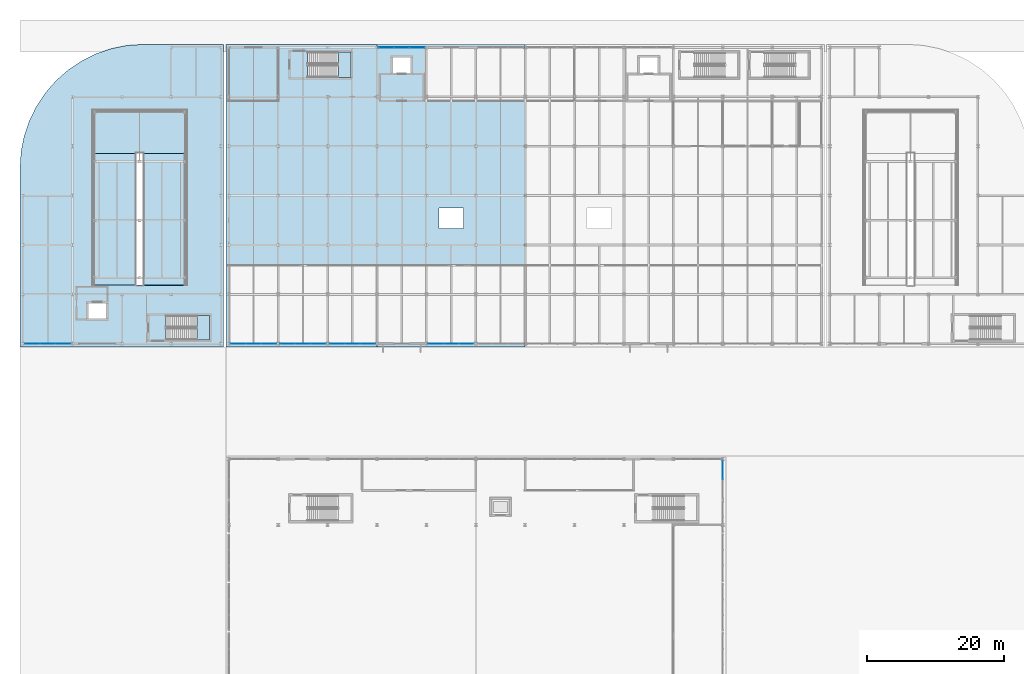
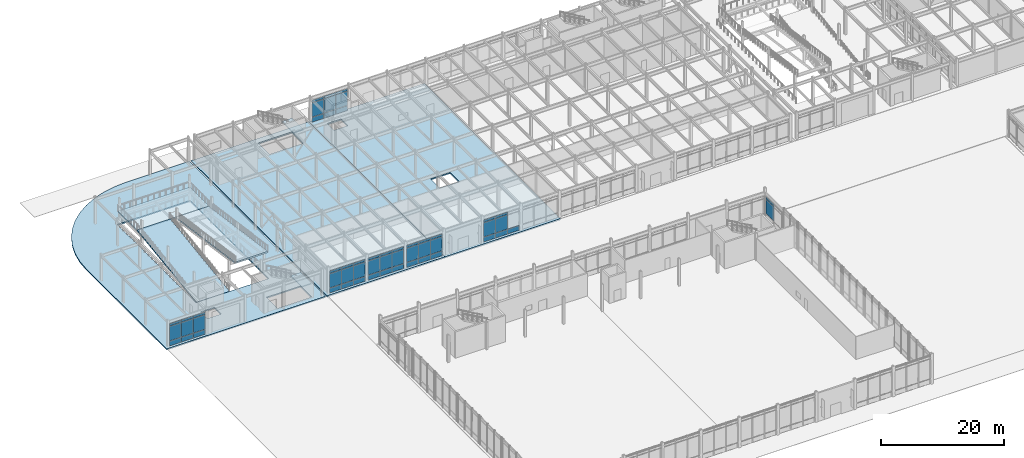
# One storey, part 61 of 104: 54 plates, 8 slabs, 9 elements without a shape of their own.
"""IFC4 building model written with IfcOpenShell, lengths in metres."""

from ifc_helpers import new_model, si_unit, direction, frame, origin, origin_2d, place, context, subcontext, project, spatial, polyline, rectangle, outline, extrude, material, layer, layer_set, type_object, element, aggregate, save


model = new_model("IFC4")

# Units and contexts
model_context = context("Model", 3, precision=1e-05, world=origin(), true_north=direction((0.0, 1.0)))
body_context = subcontext(model_context, "Body", "Model", "MODEL_VIEW")
ifc_project = project(units=[si_unit("LENGTHUNIT", "METRE"), si_unit("AREAUNIT", "SQUARE_METRE"), si_unit("VOLUMEUNIT", "CUBIC_METRE"), si_unit("PLANEANGLEUNIT", "RADIAN"), si_unit("MASSUNIT", "GRAM", prefix="KILO")], contexts=[model_context])

# Site, building, storey
site_placement = place(None, origin())
site = spatial("IfcSite", under=ifc_project, at=site_placement, CompositionType="ELEMENT")
building_placement = place(site_placement, origin())
building = spatial("IfcBuilding", under=site, at=building_placement, Name="Vaelcorin Mobility Hub", CompositionType="ELEMENT")
storey_placement = place(building_placement, origin())
storey = spatial("IfcBuildingStorey", under=building, at=storey_placement, Name="L00", CompositionType="ELEMENT", Elevation=0.0)

# Curtain wall, plates
ifc_material_1 = material(Name="Anodised aluminium 6063-T6", Category="aluminium")
curtain_wall_type_1 = type_object("IfcCurtainWallType", Name="CW-CONC-B", PredefinedType="NOTDEFINED", material=ifc_material_1)
curtain_wall_1_placement = place(storey_placement, origin())
curtain_wall_1 = element("IfcCurtainWall", 1, at=curtain_wall_1_placement, inside=storey, type_object=curtain_wall_type_1, Name="L00 Curtain Wall CW-V1-E-08", PredefinedType="NOTDEFINED")
ifc_material_2 = material(Name="Low-E solar-control insulated glazing", Category="glass")
ifc_layer_1 = layer(ifc_material_2, 0.031982421875)
ifc_layer_set_1 = layer_set([ifc_layer_1], Name="Low-E solar-control insulated glazing")
plate_type = type_object("IfcPlateType", Name="CW-PAN-GLZ32", PredefinedType="CURTAIN_PANEL", material=ifc_layer_set_1)
plate_1_placement = place(storey_placement, frame((108.0, 58.375, 1.080078125), z_axis=(0.0, 0.0, 1.0), x_axis=(0.0, -1.0, 0.0)))
plate_1 = element("IfcPlate", 2, at=plate_1_placement, type_object=plate_type, Name="CW2 panel 1.2", PredefinedType="CURTAIN_PANEL", context=body_context, shape_type="SweptSolid", body=[
    extrude(rectangle(XDim=2.68994140625, YDim=0.028076171875, at=origin_2d()), origin(), (0.0, 0.0, 1.0), 2.822021484375),
])
plate_2_placement = place(storey_placement, frame((108.0, 58.375, 3.9619140625), z_axis=(0.0, 0.0, 1.0), x_axis=(0.0, -1.0, 0.0)))
plate_2 = element("IfcPlate", 3, at=plate_2_placement, type_object=plate_type, Name="CW2 panel 1.3", PredefinedType="CURTAIN_PANEL", context=body_context, shape_type="SweptSolid", body=[
    extrude(rectangle(XDim=2.68994140625, YDim=0.028076171875, at=origin_2d()), origin(), (0.0, 0.0, 1.0), 0.4599609375),
])
aggregate(curtain_wall_1, [plate_1, plate_2])

curtain_wall_type_2 = type_object("IfcCurtainWallType", Name="CW-MSC-A", PredefinedType="NOTDEFINED", material=ifc_material_1)
curtain_wall_2_placement = place(storey_placement, origin())
curtain_wall_2 = element("IfcCurtainWall", 4, at=curtain_wall_2_placement, inside=storey, type_object=curtain_wall_type_2, Name="L00 Curtain Wall CW-V4-L00-S-01", PredefinedType="NOTDEFINED")
plate_3_placement = place(storey_placement, frame((41.83837890625, 76.800048828125, 0.06005859375), z_axis=(0.0, 0.0, 1.0), x_axis=(-1.0, 0.0, 0.0)))
plate_3 = element("IfcPlate", 5, at=plate_3_placement, type_object=plate_type, Name="CW3 panel 1.1", PredefinedType="CURTAIN_PANEL", context=body_context, shape_type="SweptSolid", body=[
    extrude(rectangle(XDim=2.163330078125, YDim=0.028076171875, at=origin_2d()), origin(), (0.0, 0.0, 1.0), 0.9599609375),
])
plate_4_placement = place(storey_placement, frame((41.83837890625, 76.800048828125, 1.080078125), z_axis=(0.0, 0.0, 1.0), x_axis=(-1.0, 0.0, 0.0)))
plate_4 = element("IfcPlate", 6, at=plate_4_placement, type_object=plate_type, Name="CW3 panel 1.2", PredefinedType="CURTAIN_PANEL", context=body_context, shape_type="SweptSolid", body=[
    extrude(rectangle(XDim=2.163330078125, YDim=0.028076171875, at=origin_2d()), origin(), (0.0, 0.0, 1.0), 2.802001953125),
])
plate_5_placement = place(storey_placement, frame((41.83837890625, 76.800048828125, 3.942138671875), z_axis=(0.0, 0.0, 1.0), x_axis=(-1.0, 0.0, 0.0)))
plate_5 = element("IfcPlate", 7, at=plate_5_placement, type_object=plate_type, Name="CW3 panel 1.3", PredefinedType="CURTAIN_PANEL", context=body_context, shape_type="SweptSolid", body=[
    extrude(rectangle(XDim=2.163330078125, YDim=0.028076171875, at=origin_2d()), origin(), (0.0, 0.0, 1.0), 0.4599609375),
])
plate_6_placement = place(storey_placement, frame((39.60009765625, 76.800048828125, 0.06005859375), z_axis=(0.0, 0.0, 1.0), x_axis=(-1.0, 0.0, 0.0)))
plate_6 = element("IfcPlate", 8, at=plate_6_placement, type_object=plate_type, Name="CW3 panel 2.1", PredefinedType="CURTAIN_PANEL", context=body_context, shape_type="SweptSolid", body=[
    extrude(rectangle(XDim=2.193359375, YDim=0.028076171875, at=origin_2d()), origin(), (0.0, 0.0, 1.0), 0.9599609375),
])
plate_7_placement = place(storey_placement, frame((39.60009765625, 76.800048828125, 1.080078125), z_axis=(0.0, 0.0, 1.0), x_axis=(-1.0, 0.0, 0.0)))
plate_7 = element("IfcPlate", 9, at=plate_7_placement, type_object=plate_type, Name="CW3 panel 2.2", PredefinedType="CURTAIN_PANEL", context=body_context, shape_type="SweptSolid", body=[
    extrude(rectangle(XDim=2.193359375, YDim=0.028076171875, at=origin_2d()), origin(), (0.0, 0.0, 1.0), 2.802001953125),
])
plate_8_placement = place(storey_placement, frame((39.60009765625, 76.800048828125, 3.942138671875), z_axis=(0.0, 0.0, 1.0), x_axis=(-1.0, 0.0, 0.0)))
plate_8 = element("IfcPlate", 10, at=plate_8_placement, type_object=plate_type, Name="CW3 panel 2.3", PredefinedType="CURTAIN_PANEL", context=body_context, shape_type="SweptSolid", body=[
    extrude(rectangle(XDim=2.193359375, YDim=0.028076171875, at=origin_2d()), origin(), (0.0, 0.0, 1.0), 0.4599609375),
])
plate_9_placement = place(storey_placement, frame((37.361572265625, 76.800048828125, 0.06005859375), z_axis=(0.0, 0.0, 1.0), x_axis=(-1.0, 0.0, 0.0)))
plate_9 = element("IfcPlate", 11, at=plate_9_placement, type_object=plate_type, Name="CW3 panel 3.1", PredefinedType="CURTAIN_PANEL", context=body_context, shape_type="SweptSolid", body=[
    extrude(rectangle(XDim=2.163330078125, YDim=0.028076171875, at=origin_2d()), origin(), (0.0, 0.0, 1.0), 0.9599609375),
])
plate_10_placement = place(storey_placement, frame((37.361572265625, 76.800048828125, 1.080078125), z_axis=(0.0, 0.0, 1.0), x_axis=(-1.0, 0.0, 0.0)))
plate_10 = element("IfcPlate", 12, at=plate_10_placement, type_object=plate_type, Name="CW3 panel 3.2", PredefinedType="CURTAIN_PANEL", context=body_context, shape_type="SweptSolid", body=[
    extrude(rectangle(XDim=2.163330078125, YDim=0.028076171875, at=origin_2d()), origin(), (0.0, 0.0, 1.0), 2.802001953125),
])
plate_11_placement = place(storey_placement, frame((37.361572265625, 76.800048828125, 3.942138671875), z_axis=(0.0, 0.0, 1.0), x_axis=(-1.0, 0.0, 0.0)))
plate_11 = element("IfcPlate", 13, at=plate_11_placement, type_object=plate_type, Name="CW3 panel 3.3", PredefinedType="CURTAIN_PANEL", context=body_context, shape_type="SweptSolid", body=[
    extrude(rectangle(XDim=2.163330078125, YDim=0.028076171875, at=origin_2d()), origin(), (0.0, 0.0, 1.0), 0.4599609375),
])
aggregate(curtain_wall_2, [plate_3, plate_4, plate_5, plate_6, plate_7, plate_8, plate_9, plate_10, plate_11])

curtain_wall_3_placement = place(storey_placement, origin())
curtain_wall_3 = element("IfcCurtainWall", 14, at=curtain_wall_3_placement, inside=storey, type_object=curtain_wall_type_2, Name="L00 Curtain Wall CW-V4-L00-S-02", PredefinedType="NOTDEFINED")
plate_12_placement = place(storey_placement, frame((49.038330078125, 76.800048828125, 0.06005859375), z_axis=(0.0, 0.0, 1.0), x_axis=(-1.0, 0.0, 0.0)))
plate_12 = element("IfcPlate", 15, at=plate_12_placement, type_object=plate_type, Name="CW3 panel 1.1", PredefinedType="CURTAIN_PANEL", context=body_context, shape_type="SweptSolid", body=[
    extrude(rectangle(XDim=2.163330078125, YDim=0.028076171875, at=origin_2d()), origin(), (0.0, 0.0, 1.0), 0.9599609375),
])
plate_13_placement = place(storey_placement, frame((49.038330078125, 76.800048828125, 1.080078125), z_axis=(0.0, 0.0, 1.0), x_axis=(-1.0, 0.0, 0.0)))
plate_13 = element("IfcPlate", 16, at=plate_13_placement, type_object=plate_type, Name="CW3 panel 1.2", PredefinedType="CURTAIN_PANEL", context=body_context, shape_type="SweptSolid", body=[
    extrude(rectangle(XDim=2.163330078125, YDim=0.028076171875, at=origin_2d()), origin(), (0.0, 0.0, 1.0), 2.802001953125),
])
plate_14_placement = place(storey_placement, frame((49.038330078125, 76.800048828125, 3.942138671875), z_axis=(0.0, 0.0, 1.0), x_axis=(-1.0, 0.0, 0.0)))
plate_14 = element("IfcPlate", 17, at=plate_14_placement, type_object=plate_type, Name="CW3 panel 1.3", PredefinedType="CURTAIN_PANEL", context=body_context, shape_type="SweptSolid", body=[
    extrude(rectangle(XDim=2.163330078125, YDim=0.028076171875, at=origin_2d()), origin(), (0.0, 0.0, 1.0), 0.4599609375),
])
plate_15_placement = place(storey_placement, frame((46.800048828125, 76.800048828125, 0.06005859375), z_axis=(0.0, 0.0, 1.0), x_axis=(-1.0, 0.0, 0.0)))
plate_15 = element("IfcPlate", 18, at=plate_15_placement, type_object=plate_type, Name="CW3 panel 2.1", PredefinedType="CURTAIN_PANEL", context=body_context, shape_type="SweptSolid", body=[
    extrude(rectangle(XDim=2.193359375, YDim=0.028076171875, at=origin_2d()), origin(), (0.0, 0.0, 1.0), 0.9599609375),
])
plate_16_placement = place(storey_placement, frame((46.800048828125, 76.800048828125, 1.080078125), z_axis=(0.0, 0.0, 1.0), x_axis=(-1.0, 0.0, 0.0)))
plate_16 = element("IfcPlate", 19, at=plate_16_placement, type_object=plate_type, Name="CW3 panel 2.2", PredefinedType="CURTAIN_PANEL", context=body_context, shape_type="SweptSolid", body=[
    extrude(rectangle(XDim=2.193359375, YDim=0.028076171875, at=origin_2d()), origin(), (0.0, 0.0, 1.0), 2.802001953125),
])
plate_17_placement = place(storey_placement, frame((46.800048828125, 76.800048828125, 3.942138671875), z_axis=(0.0, 0.0, 1.0), x_axis=(-1.0, 0.0, 0.0)))
plate_17 = element("IfcPlate", 20, at=plate_17_placement, type_object=plate_type, Name="CW3 panel 2.3", PredefinedType="CURTAIN_PANEL", context=body_context, shape_type="SweptSolid", body=[
    extrude(rectangle(XDim=2.193359375, YDim=0.028076171875, at=origin_2d()), origin(), (0.0, 0.0, 1.0), 0.4599609375),
])
plate_18_placement = place(storey_placement, frame((44.561767578125, 76.800048828125, 0.06005859375), z_axis=(0.0, 0.0, 1.0), x_axis=(-1.0, 0.0, 0.0)))
plate_18 = element("IfcPlate", 21, at=plate_18_placement, type_object=plate_type, Name="CW3 panel 3.1", PredefinedType="CURTAIN_PANEL", context=body_context, shape_type="SweptSolid", body=[
    extrude(rectangle(XDim=2.163330078125, YDim=0.028076171875, at=origin_2d()), origin(), (0.0, 0.0, 1.0), 0.9599609375),
])
plate_19_placement = place(storey_placement, frame((44.561767578125, 76.800048828125, 1.080078125), z_axis=(0.0, 0.0, 1.0), x_axis=(-1.0, 0.0, 0.0)))
plate_19 = element("IfcPlate", 22, at=plate_19_placement, type_object=plate_type, Name="CW3 panel 3.2", PredefinedType="CURTAIN_PANEL", context=body_context, shape_type="SweptSolid", body=[
    extrude(rectangle(XDim=2.163330078125, YDim=0.028076171875, at=origin_2d()), origin(), (0.0, 0.0, 1.0), 2.802001953125),
])
plate_20_placement = place(storey_placement, frame((44.561767578125, 76.800048828125, 3.942138671875), z_axis=(0.0, 0.0, 1.0), x_axis=(-1.0, 0.0, 0.0)))
plate_20 = element("IfcPlate", 23, at=plate_20_placement, type_object=plate_type, Name="CW3 panel 3.3", PredefinedType="CURTAIN_PANEL", context=body_context, shape_type="SweptSolid", body=[
    extrude(rectangle(XDim=2.163330078125, YDim=0.028076171875, at=origin_2d()), origin(), (0.0, 0.0, 1.0), 0.4599609375),
])
aggregate(curtain_wall_3, [plate_12, plate_13, plate_14, plate_15, plate_16, plate_17, plate_18, plate_19, plate_20])

curtain_wall_4_placement = place(storey_placement, origin())
curtain_wall_4 = element("IfcCurtainWall", 24, at=curtain_wall_4_placement, inside=storey, type_object=curtain_wall_type_2, Name="L00 Curtain Wall CW-V4-L00-S-03", PredefinedType="NOTDEFINED")
plate_21_placement = place(storey_placement, frame((56.23828125, 76.800048828125, 0.06005859375), z_axis=(0.0, 0.0, 1.0), x_axis=(-1.0, 0.0, 0.0)))
plate_21 = element("IfcPlate", 25, at=plate_21_placement, type_object=plate_type, Name="CW3 panel 1.1", PredefinedType="CURTAIN_PANEL", context=body_context, shape_type="SweptSolid", body=[
    extrude(rectangle(XDim=2.163330078125, YDim=0.028076171875, at=origin_2d()), origin(), (0.0, 0.0, 1.0), 0.9599609375),
])
plate_22_placement = place(storey_placement, frame((56.23828125, 76.800048828125, 1.080078125), z_axis=(0.0, 0.0, 1.0), x_axis=(-1.0, 0.0, 0.0)))
plate_22 = element("IfcPlate", 26, at=plate_22_placement, type_object=plate_type, Name="CW3 panel 1.2", PredefinedType="CURTAIN_PANEL", context=body_context, shape_type="SweptSolid", body=[
    extrude(rectangle(XDim=2.163330078125, YDim=0.028076171875, at=origin_2d()), origin(), (0.0, 0.0, 1.0), 2.802001953125),
])
plate_23_placement = place(storey_placement, frame((56.23828125, 76.800048828125, 3.942138671875), z_axis=(0.0, 0.0, 1.0), x_axis=(-1.0, 0.0, 0.0)))
plate_23 = element("IfcPlate", 27, at=plate_23_placement, type_object=plate_type, Name="CW3 panel 1.3", PredefinedType="CURTAIN_PANEL", context=body_context, shape_type="SweptSolid", body=[
    extrude(rectangle(XDim=2.163330078125, YDim=0.028076171875, at=origin_2d()), origin(), (0.0, 0.0, 1.0), 0.4599609375),
])
plate_24_placement = place(storey_placement, frame((54.0, 76.800048828125, 0.06005859375), z_axis=(0.0, 0.0, 1.0), x_axis=(-1.0, 0.0, 0.0)))
plate_24 = element("IfcPlate", 28, at=plate_24_placement, type_object=plate_type, Name="CW3 panel 2.1", PredefinedType="CURTAIN_PANEL", context=body_context, shape_type="SweptSolid", body=[
    extrude(rectangle(XDim=2.193359375, YDim=0.028076171875, at=origin_2d()), origin(), (0.0, 0.0, 1.0), 0.9599609375),
])
plate_25_placement = place(storey_placement, frame((54.0, 76.800048828125, 1.080078125), z_axis=(0.0, 0.0, 1.0), x_axis=(-1.0, 0.0, 0.0)))
plate_25 = element("IfcPlate", 29, at=plate_25_placement, type_object=plate_type, Name="CW3 panel 2.2", PredefinedType="CURTAIN_PANEL", context=body_context, shape_type="SweptSolid", body=[
    extrude(rectangle(XDim=2.193359375, YDim=0.028076171875, at=origin_2d()), origin(), (0.0, 0.0, 1.0), 2.802001953125),
])
plate_26_placement = place(storey_placement, frame((54.0, 76.800048828125, 3.942138671875), z_axis=(0.0, 0.0, 1.0), x_axis=(-1.0, 0.0, 0.0)))
plate_26 = element("IfcPlate", 30, at=plate_26_placement, type_object=plate_type, Name="CW3 panel 2.3", PredefinedType="CURTAIN_PANEL", context=body_context, shape_type="SweptSolid", body=[
    extrude(rectangle(XDim=2.193359375, YDim=0.028076171875, at=origin_2d()), origin(), (0.0, 0.0, 1.0), 0.4599609375),
])
plate_27_placement = place(storey_placement, frame((51.76171875, 76.800048828125, 0.06005859375), z_axis=(0.0, 0.0, 1.0), x_axis=(-1.0, 0.0, 0.0)))
plate_27 = element("IfcPlate", 31, at=plate_27_placement, type_object=plate_type, Name="CW3 panel 3.1", PredefinedType="CURTAIN_PANEL", context=body_context, shape_type="SweptSolid", body=[
    extrude(rectangle(XDim=2.163330078125, YDim=0.028076171875, at=origin_2d()), origin(), (0.0, 0.0, 1.0), 0.9599609375),
])
plate_28_placement = place(storey_placement, frame((51.76171875, 76.800048828125, 1.080078125), z_axis=(0.0, 0.0, 1.0), x_axis=(-1.0, 0.0, 0.0)))
plate_28 = element("IfcPlate", 32, at=plate_28_placement, type_object=plate_type, Name="CW3 panel 3.2", PredefinedType="CURTAIN_PANEL", context=body_context, shape_type="SweptSolid", body=[
    extrude(rectangle(XDim=2.163330078125, YDim=0.028076171875, at=origin_2d()), origin(), (0.0, 0.0, 1.0), 2.802001953125),
])
plate_29_placement = place(storey_placement, frame((51.76171875, 76.800048828125, 3.942138671875), z_axis=(0.0, 0.0, 1.0), x_axis=(-1.0, 0.0, 0.0)))
plate_29 = element("IfcPlate", 33, at=plate_29_placement, type_object=plate_type, Name="CW3 panel 3.3", PredefinedType="CURTAIN_PANEL", context=body_context, shape_type="SweptSolid", body=[
    extrude(rectangle(XDim=2.163330078125, YDim=0.028076171875, at=origin_2d()), origin(), (0.0, 0.0, 1.0), 0.4599609375),
])
aggregate(curtain_wall_4, [plate_21, plate_22, plate_23, plate_24, plate_25, plate_26, plate_27, plate_28, plate_29])

curtain_wall_type_3 = type_object("IfcCurtainWallType", Name="CW-MSC-B", PredefinedType="NOTDEFINED", material=ifc_material_1)
curtain_wall_5_placement = place(storey_placement, origin())
curtain_wall_5 = element("IfcCurtainWall", 34, at=curtain_wall_5_placement, inside=storey, type_object=curtain_wall_type_3, Name="L00 Curtain Wall CW-V4-L00-N-04", PredefinedType="NOTDEFINED")
plate_30_placement = place(storey_placement, frame((58.961669921875, 120.0, 0.06005859375), z_axis=(0.0, 0.0, 1.0), x_axis=(1.0, 0.0, 0.0)))
plate_30 = element("IfcPlate", 35, at=plate_30_placement, type_object=plate_type, Name="CW4 panel 1.1", PredefinedType="CURTAIN_PANEL", context=body_context, shape_type="SweptSolid", body=[
    extrude(rectangle(XDim=2.163330078125, YDim=0.028076171875, at=origin_2d()), origin(), (0.0, 0.0, 1.0), 0.9599609375),
])
plate_31_placement = place(storey_placement, frame((58.961669921875, 120.0, 1.080078125), z_axis=(0.0, 0.0, 1.0), x_axis=(1.0, 0.0, 0.0)))
plate_31 = element("IfcPlate", 36, at=plate_31_placement, type_object=plate_type, Name="CW4 panel 1.2", PredefinedType="CURTAIN_PANEL", context=body_context, shape_type="SweptSolid", body=[
    extrude(rectangle(XDim=2.163330078125, YDim=0.028076171875, at=origin_2d()), origin(), (0.0, 0.0, 1.0), 2.802001953125),
])
plate_32_placement = place(storey_placement, frame((58.961669921875, 120.0, 3.942138671875), z_axis=(0.0, 0.0, 1.0), x_axis=(1.0, 0.0, 0.0)))
plate_32 = element("IfcPlate", 37, at=plate_32_placement, type_object=plate_type, Name="CW4 panel 1.3", PredefinedType="CURTAIN_PANEL", context=body_context, shape_type="SweptSolid", body=[
    extrude(rectangle(XDim=2.163330078125, YDim=0.028076171875, at=origin_2d()), origin(), (0.0, 0.0, 1.0), 0.4599609375),
])
plate_33_placement = place(storey_placement, frame((61.199951171875, 120.0, 0.06005859375), z_axis=(0.0, 0.0, 1.0), x_axis=(1.0, 0.0, 0.0)))
plate_33 = element("IfcPlate", 38, at=plate_33_placement, type_object=plate_type, Name="CW4 panel 2.1", PredefinedType="CURTAIN_PANEL", context=body_context, shape_type="SweptSolid", body=[
    extrude(rectangle(XDim=2.193359375, YDim=0.028076171875, at=origin_2d()), origin(), (0.0, 0.0, 1.0), 0.9599609375),
])
plate_34_placement = place(storey_placement, frame((61.199951171875, 120.0, 1.080078125), z_axis=(0.0, 0.0, 1.0), x_axis=(1.0, 0.0, 0.0)))
plate_34 = element("IfcPlate", 39, at=plate_34_placement, type_object=plate_type, Name="CW4 panel 2.2", PredefinedType="CURTAIN_PANEL", context=body_context, shape_type="SweptSolid", body=[
    extrude(rectangle(XDim=2.193359375, YDim=0.028076171875, at=origin_2d()), origin(), (0.0, 0.0, 1.0), 2.802001953125),
])
plate_35_placement = place(storey_placement, frame((61.199951171875, 120.0, 3.942138671875), z_axis=(0.0, 0.0, 1.0), x_axis=(1.0, 0.0, 0.0)))
plate_35 = element("IfcPlate", 40, at=plate_35_placement, type_object=plate_type, Name="CW4 panel 2.3", PredefinedType="CURTAIN_PANEL", context=body_context, shape_type="SweptSolid", body=[
    extrude(rectangle(XDim=2.193359375, YDim=0.028076171875, at=origin_2d()), origin(), (0.0, 0.0, 1.0), 0.4599609375),
])
plate_36_placement = place(storey_placement, frame((63.438232421875, 120.0, 0.06005859375), z_axis=(0.0, 0.0, 1.0), x_axis=(1.0, 0.0, 0.0)))
plate_36 = element("IfcPlate", 41, at=plate_36_placement, type_object=plate_type, Name="CW4 panel 3.1", PredefinedType="CURTAIN_PANEL", context=body_context, shape_type="SweptSolid", body=[
    extrude(rectangle(XDim=2.163330078125, YDim=0.028076171875, at=origin_2d()), origin(), (0.0, 0.0, 1.0), 0.9599609375),
])
plate_37_placement = place(storey_placement, frame((63.438232421875, 120.0, 1.080078125), z_axis=(0.0, 0.0, 1.0), x_axis=(1.0, 0.0, 0.0)))
plate_37 = element("IfcPlate", 42, at=plate_37_placement, type_object=plate_type, Name="CW4 panel 3.2", PredefinedType="CURTAIN_PANEL", context=body_context, shape_type="SweptSolid", body=[
    extrude(rectangle(XDim=2.163330078125, YDim=0.028076171875, at=origin_2d()), origin(), (0.0, 0.0, 1.0), 2.802001953125),
])
plate_38_placement = place(storey_placement, frame((63.438232421875, 120.0, 3.942138671875), z_axis=(0.0, 0.0, 1.0), x_axis=(1.0, 0.0, 0.0)))
plate_38 = element("IfcPlate", 43, at=plate_38_placement, type_object=plate_type, Name="CW4 panel 3.3", PredefinedType="CURTAIN_PANEL", context=body_context, shape_type="SweptSolid", body=[
    extrude(rectangle(XDim=2.163330078125, YDim=0.028076171875, at=origin_2d()), origin(), (0.0, 0.0, 1.0), 0.4599609375),
])
aggregate(curtain_wall_5, [plate_30, plate_31, plate_32, plate_33, plate_34, plate_35, plate_36, plate_37, plate_38])

curtain_wall_6_placement = place(storey_placement, origin())
curtain_wall_6 = element("IfcCurtainWall", 44, at=curtain_wall_6_placement, inside=storey, type_object=curtain_wall_type_2, Name="L00 Curtain Wall CW-V4-L00-S-05", PredefinedType="NOTDEFINED")
plate_39_placement = place(storey_placement, frame((70.638427734375, 76.800048828125, 0.06005859375), z_axis=(0.0, 0.0, 1.0), x_axis=(-1.0, 0.0, 0.0)))
plate_39 = element("IfcPlate", 45, at=plate_39_placement, type_object=plate_type, Name="CW3 panel 1.1", PredefinedType="CURTAIN_PANEL", context=body_context, shape_type="SweptSolid", body=[
    extrude(rectangle(XDim=2.163330078125, YDim=0.028076171875, at=origin_2d()), origin(), (0.0, 0.0, 1.0), 0.9599609375),
])
plate_40_placement = place(storey_placement, frame((68.39990234375, 76.800048828125, 0.06005859375), z_axis=(0.0, 0.0, 1.0), x_axis=(-1.0, 0.0, 0.0)))
plate_40 = element("IfcPlate", 46, at=plate_40_placement, type_object=plate_type, Name="CW3 panel 2.1", PredefinedType="CURTAIN_PANEL", context=body_context, shape_type="SweptSolid", body=[
    extrude(rectangle(XDim=2.193359375, YDim=0.028076171875, at=origin_2d()), origin(), (0.0, 0.0, 1.0), 0.9599609375),
])
plate_41_placement = place(storey_placement, frame((68.39990234375, 76.800048828125, 1.080078125), z_axis=(0.0, 0.0, 1.0), x_axis=(-1.0, 0.0, 0.0)))
plate_41 = element("IfcPlate", 47, at=plate_41_placement, type_object=plate_type, Name="CW3 panel 2.2", PredefinedType="CURTAIN_PANEL", context=body_context, shape_type="SweptSolid", body=[
    extrude(rectangle(XDim=2.193359375, YDim=0.028076171875, at=origin_2d()), origin(), (0.0, 0.0, 1.0), 2.802001953125),
])
plate_42_placement = place(storey_placement, frame((68.39990234375, 76.800048828125, 3.942138671875), z_axis=(0.0, 0.0, 1.0), x_axis=(-1.0, 0.0, 0.0)))
plate_42 = element("IfcPlate", 48, at=plate_42_placement, type_object=plate_type, Name="CW3 panel 2.3", PredefinedType="CURTAIN_PANEL", context=body_context, shape_type="SweptSolid", body=[
    extrude(rectangle(XDim=2.193359375, YDim=0.028076171875, at=origin_2d()), origin(), (0.0, 0.0, 1.0), 0.4599609375),
])
plate_43_placement = place(storey_placement, frame((66.16162109375, 76.800048828125, 0.06005859375), z_axis=(0.0, 0.0, 1.0), x_axis=(-1.0, 0.0, 0.0)))
plate_43 = element("IfcPlate", 49, at=plate_43_placement, type_object=plate_type, Name="CW3 panel 3.1", PredefinedType="CURTAIN_PANEL", context=body_context, shape_type="SweptSolid", body=[
    extrude(rectangle(XDim=2.163330078125, YDim=0.028076171875, at=origin_2d()), origin(), (0.0, 0.0, 1.0), 0.9599609375),
])
plate_44_placement = place(storey_placement, frame((66.16162109375, 76.800048828125, 1.080078125), z_axis=(0.0, 0.0, 1.0), x_axis=(-1.0, 0.0, 0.0)))
plate_44 = element("IfcPlate", 50, at=plate_44_placement, type_object=plate_type, Name="CW3 panel 3.2", PredefinedType="CURTAIN_PANEL", context=body_context, shape_type="SweptSolid", body=[
    extrude(rectangle(XDim=2.163330078125, YDim=0.028076171875, at=origin_2d()), origin(), (0.0, 0.0, 1.0), 2.802001953125),
])
plate_45_placement = place(storey_placement, frame((66.16162109375, 76.800048828125, 3.942138671875), z_axis=(0.0, 0.0, 1.0), x_axis=(-1.0, 0.0, 0.0)))
plate_45 = element("IfcPlate", 51, at=plate_45_placement, type_object=plate_type, Name="CW3 panel 3.3", PredefinedType="CURTAIN_PANEL", context=body_context, shape_type="SweptSolid", body=[
    extrude(rectangle(XDim=2.163330078125, YDim=0.028076171875, at=origin_2d()), origin(), (0.0, 0.0, 1.0), 0.4599609375),
])
aggregate(curtain_wall_6, [plate_39, plate_40, plate_41, plate_42, plate_43, plate_44, plate_45])

curtain_wall_7_placement = place(storey_placement, origin())
curtain_wall_7 = element("IfcCurtainWall", 52, at=curtain_wall_7_placement, inside=storey, type_object=curtain_wall_type_2, Name="L00 Curtain Wall CW-V2W-L00-S-01", PredefinedType="NOTDEFINED")
plate_46_placement = place(storey_placement, frame((11.83837890625, 76.800048828125, 0.06005859375), z_axis=(0.0, 0.0, 1.0), x_axis=(-1.0, 0.0, 0.0)))
plate_46 = element("IfcPlate", 53, at=plate_46_placement, type_object=plate_type, Name="CW3 panel 1.1", PredefinedType="CURTAIN_PANEL", context=body_context, shape_type="SweptSolid", body=[
    extrude(rectangle(XDim=2.163330078125, YDim=0.028076171875, at=origin_2d()), origin(), (0.0, 0.0, 1.0), 0.9599609375),
])
plate_47_placement = place(storey_placement, frame((11.83837890625, 76.800048828125, 1.080078125), z_axis=(0.0, 0.0, 1.0), x_axis=(-1.0, 0.0, 0.0)))
plate_47 = element("IfcPlate", 54, at=plate_47_placement, type_object=plate_type, Name="CW3 panel 1.2", PredefinedType="CURTAIN_PANEL", context=body_context, shape_type="SweptSolid", body=[
    extrude(rectangle(XDim=2.163330078125, YDim=0.028076171875, at=origin_2d()), origin(), (0.0, 0.0, 1.0), 2.863037109375),
])
plate_48_placement = place(storey_placement, frame((11.83837890625, 76.800048828125, 4.0029296875), z_axis=(0.0, 0.0, 1.0), x_axis=(-1.0, 0.0, 0.0)))
plate_48 = element("IfcPlate", 55, at=plate_48_placement, type_object=plate_type, Name="CW3 panel 1.3", PredefinedType="CURTAIN_PANEL", context=body_context, shape_type="SweptSolid", body=[
    extrude(rectangle(XDim=2.163330078125, YDim=0.028076171875, at=origin_2d()), origin(), (0.0, 0.0, 1.0), 0.4599609375),
])
plate_49_placement = place(storey_placement, frame((9.60009765625, 76.800048828125, 0.06005859375), z_axis=(0.0, 0.0, 1.0), x_axis=(-1.0, 0.0, 0.0)))
plate_49 = element("IfcPlate", 56, at=plate_49_placement, type_object=plate_type, Name="CW3 panel 2.1", PredefinedType="CURTAIN_PANEL", context=body_context, shape_type="SweptSolid", body=[
    extrude(rectangle(XDim=2.193359375, YDim=0.028076171875, at=origin_2d()), origin(), (0.0, 0.0, 1.0), 0.9599609375),
])
plate_50_placement = place(storey_placement, frame((9.60009765625, 76.800048828125, 1.080078125), z_axis=(0.0, 0.0, 1.0), x_axis=(-1.0, 0.0, 0.0)))
plate_50 = element("IfcPlate", 57, at=plate_50_placement, type_object=plate_type, Name="CW3 panel 2.2", PredefinedType="CURTAIN_PANEL", context=body_context, shape_type="SweptSolid", body=[
    extrude(rectangle(XDim=2.193359375, YDim=0.028076171875, at=origin_2d()), origin(), (0.0, 0.0, 1.0), 2.863037109375),
])
plate_51_placement = place(storey_placement, frame((9.60009765625, 76.800048828125, 4.0029296875), z_axis=(0.0, 0.0, 1.0), x_axis=(-1.0, 0.0, 0.0)))
plate_51 = element("IfcPlate", 58, at=plate_51_placement, type_object=plate_type, Name="CW3 panel 2.3", PredefinedType="CURTAIN_PANEL", context=body_context, shape_type="SweptSolid", body=[
    extrude(rectangle(XDim=2.193359375, YDim=0.028076171875, at=origin_2d()), origin(), (0.0, 0.0, 1.0), 0.4599609375),
])
plate_52_placement = place(storey_placement, frame((7.361572265625, 76.800048828125, 0.06005859375), z_axis=(0.0, 0.0, 1.0), x_axis=(-1.0, 0.0, 0.0)))
plate_52 = element("IfcPlate", 59, at=plate_52_placement, type_object=plate_type, Name="CW3 panel 3.1", PredefinedType="CURTAIN_PANEL", context=body_context, shape_type="SweptSolid", body=[
    extrude(rectangle(XDim=2.163330078125, YDim=0.028076171875, at=origin_2d()), origin(), (0.0, 0.0, 1.0), 0.9599609375),
])
plate_53_placement = place(storey_placement, frame((7.361572265625, 76.800048828125, 1.080078125), z_axis=(0.0, 0.0, 1.0), x_axis=(-1.0, 0.0, 0.0)))
plate_53 = element("IfcPlate", 60, at=plate_53_placement, type_object=plate_type, Name="CW3 panel 3.2", PredefinedType="CURTAIN_PANEL", context=body_context, shape_type="SweptSolid", body=[
    extrude(rectangle(XDim=2.163330078125, YDim=0.028076171875, at=origin_2d()), origin(), (0.0, 0.0, 1.0), 2.863037109375),
])
plate_54_placement = place(storey_placement, frame((7.361572265625, 76.800048828125, 4.0029296875), z_axis=(0.0, 0.0, 1.0), x_axis=(-1.0, 0.0, 0.0)))
plate_54 = element("IfcPlate", 61, at=plate_54_placement, type_object=plate_type, Name="CW3 panel 3.3", PredefinedType="CURTAIN_PANEL", context=body_context, shape_type="SweptSolid", body=[
    extrude(rectangle(XDim=2.163330078125, YDim=0.028076171875, at=origin_2d()), origin(), (0.0, 0.0, 1.0), 0.4599609375),
])
aggregate(curtain_wall_7, [plate_46, plate_47, plate_48, plate_49, plate_50, plate_51, plate_52, plate_53, plate_54])

# Stair, slab
ifc_material_3 = material(Name="Reinforced concrete f'c 45 MPa", Category="concrete")
stair_type_1 = type_object("IfcStairType", Name="STAIR-ST1", PredefinedType="HALF_TURN_STAIR", material=ifc_material_3)
stair_1_placement = place(storey_placement, origin())
stair_1 = element("IfcStair", 62, at=stair_1_placement, inside=storey, type_object=stair_type_1, Name="L00 Protected Exit Stair ST1", PredefinedType="HALF_TURN_STAIR")
ifc_layer_2 = layer(ifc_material_3, 0.199951171875)
ifc_layer_set_2 = layer_set([ifc_layer_2], Name="Reinforced concrete f'c 45 MPa")
slab_type_1 = type_object("IfcSlabType", Name="SLAB-LND-200", PredefinedType="LANDING", material=ifc_layer_set_2)
slab_1_placement = place(storey_placement, frame((0.0, 0.0, 2.5)))
slab_1 = element("IfcSlab", 63, at=slab_1_placement, type_object=slab_type_1, Name="ST1 landing 1", PredefinedType="LANDING", context=body_context, shape_type="SweptSolid", body=[
    extrude(outline(polyline([(31.35009765625, 77.35009765625), (33.199951171875, 77.35009765625), (33.199951171875, 80.909912109375), (31.35009765625, 80.909912109375), (31.35009765625, 77.35009765625)])), origin(), (0.0, 0.0, 1.0), 0.199951171875),
])
aggregate(stair_1, [slab_1])

stair_type_2 = type_object("IfcStairType", Name="STAIR-ST3", PredefinedType="HALF_TURN_STAIR", material=ifc_material_3)
stair_2_placement = place(storey_placement, origin())
stair_2 = element("IfcStair", 64, at=stair_2_placement, inside=storey, type_object=stair_type_2, Name="L00 Protected Exit Stair ST3", PredefinedType="HALF_TURN_STAIR")
slab_2_placement = place(storey_placement, frame((0.0, 0.0, 2.5)))
slab_2 = element("IfcSlab", 65, at=slab_2_placement, type_object=slab_type_1, Name="ST3 landing 1", PredefinedType="LANDING", context=body_context, shape_type="SweptSolid", body=[
    extrude(outline(polyline([(51.949951171875, 115.64990234375), (53.800048828125, 115.64990234375), (53.800048828125, 119.330078125), (51.949951171875, 119.330078125), (51.949951171875, 115.64990234375)])), origin(), (0.0, 0.0, 1.0), 0.199951171875),
])
aggregate(stair_2, [slab_2])

# Slabs
ifc_material_4 = material(Name="Concrete f'c 35 MPa", Category="concrete")
ifc_layer_3 = layer(ifc_material_4, 0.280029296875)
ifc_layer_set_3 = layer_set([ifc_layer_3], Name="Concrete f'c 35 MPa")
slab_type_2 = type_object("IfcSlabType", Name="SLAB-PK1", PredefinedType="FLOOR", material=ifc_layer_set_3)
slab_3_placement = place(storey_placement, frame((0.0, 0.0, -0.280029296875)))
element("IfcSlab", 66, at=slab_3_placement, inside=storey, type_object=slab_type_2, Name="L00 EV Mobility Deck SL-V4-L00-Q1", PredefinedType="FLOOR", context=body_context, shape_type="SweptSolid", body=[
    extrude(outline(polyline([(35.550048828125, 120.449951171875), (57.60009765625, 120.449951171875), (57.60009765625, 76.35009765625), (35.550048828125, 76.35009765625), (35.550048828125, 120.449951171875)]), holes=[polyline([(53.800048828125, 119.330078125), (47.455078125, 119.330078125), (47.455078125, 115.64990234375), (53.800048828125, 115.64990234375), (53.800048828125, 119.330078125)])]), origin(), (0.0, 0.0, 1.0), 0.280029296875),
])
slab_4_placement = place(storey_placement, frame((0.0, 0.0, -0.280029296875)))
element("IfcSlab", 67, at=slab_4_placement, inside=storey, type_object=slab_type_2, Name="L00 EV Mobility Deck SL-V4-L00-Q2", PredefinedType="FLOOR", context=body_context, shape_type="SweptSolid", body=[
    extrude(outline(polyline([(57.60009765625, 120.449951171875), (79.199951171875, 120.449951171875), (79.199951171875, 76.35009765625), (57.60009765625, 76.35009765625), (57.60009765625, 120.449951171875)]), holes=[polyline([(70.199951171875, 96.60009765625), (66.60009765625, 96.60009765625), (66.60009765625, 93.60009765625), (70.199951171875, 93.60009765625), (70.199951171875, 96.60009765625)]), polyline([(62.5, 118.5), (59.89990234375, 118.5), (59.89990234375, 116.300048828125), (62.5, 116.300048828125), (62.5, 118.5)])]), origin(), (0.0, 0.0, 1.0), 0.280029296875),
])
ifc_layer_4 = layer(ifc_material_4, 0.25)
ifc_layer_set_4 = layer_set([ifc_layer_4], Name="Concrete f'c 35 MPa")
slab_type_3 = type_object("IfcSlabType", Name="SLAB-RMP", PredefinedType="FLOOR", material=ifc_layer_set_4)
slab_5_placement = place(storey_placement, frame((0.0, 0.0, -0.25)))
element("IfcSlab", 68, at=slab_5_placement, inside=storey, type_object=slab_type_3, Name="L00 V2W Ramp Transition Deck SL-V2W-L00", PredefinedType="FLOOR", context=body_context, shape_type="SweptSolid", body=[
    extrude(outline(polyline([(5.550048828125, 102.449951171875), (5.7041015625, 104.799072265625), (6.1630859375, 107.10888671875), (6.919921875, 109.337890625), (7.9619140625, 111.449951171875), (9.27001953125, 113.407958984375), (10.822021484375, 115.177978515625), (12.592041015625, 116.72998046875), (14.550048828125, 118.0380859375), (16.662109375, 119.080078125), (18.89111328125, 119.8369140625), (21.200927734375, 120.2958984375), (23.550048828125, 120.449951171875), (35.25, 120.449951171875), (35.25, 76.35009765625), (5.550048828125, 76.35009765625), (5.550048828125, 102.449951171875)]), holes=[polyline([(26.85498046875, 80.909912109375), (26.85498046875, 77.35009765625), (33.199951171875, 77.35009765625), (33.199951171875, 80.909912109375), (26.85498046875, 80.909912109375)]), polyline([(18.10009765625, 82.699951171875), (15.5, 82.699951171875), (15.5, 80.5), (18.10009765625, 80.5), (18.10009765625, 82.699951171875)]), polyline([(29.800048828125, 110.800048828125), (16.199951171875, 110.800048828125), (16.199951171875, 85.340087890625), (29.800048828125, 85.340087890625), (29.800048828125, 110.800048828125)])]), origin(), (0.0, 0.0, 1.0), 0.25),
])
slab_6_placement = place(storey_placement, frame((0.0, 0.0, 2.419921875)))
element("IfcSlab", 69, at=slab_6_placement, inside=storey, type_object=slab_type_3, Name="Vehicle Ramp VR-1 L00 Half-Turn Landing", PredefinedType="LANDING", context=body_context, shape_type="SweptSolid", body=[
    extrude(outline(polyline([(16.25, 104.56005859375), (29.75, 104.56005859375), (29.75, 110.75), (16.25, 110.75), (16.25, 104.56005859375)])), origin(), (0.0, 0.0, 1.0), 0.280029296875),
])
ifc_layer_5 = layer(ifc_material_4, 0.280029296875)
ifc_layer_set_5 = layer_set([ifc_layer_5], Name="Concrete f'c 35 MPa")
slab_type_4 = type_object("IfcSlabType", Name="SLAB-RMP-VR1", PredefinedType="FLOOR", material=ifc_layer_set_5)
for number, where, z_axis, x_axis, name in (
    (70, (16.300048828125, 85.360107421875, 0.0), (0.0, -0.139395234807, 0.990236824458), (1.0, 0.0, 0.0), "Vehicle Ramp VR-1 Slab L00 Flight 1"),
    (71, (23.5, 85.360107421875, 5.39990234375), (0.0, 0.139395234807, 0.990236824458), (1.0, 0.0, 0.0), "Vehicle Ramp VR-1 Slab L00 Flight 2"),
):
    element("IfcSlab", number, at=place(storey_placement, frame(where, z_axis=z_axis, x_axis=x_axis)), inside=storey, type_object=slab_type_4, Name=name, PredefinedType="FLOOR", context=body_context, shape_type="SweptSolid", body=[
        extrude(outline(polyline([(0.0, 0.0), (6.199951171875, 0.0), (6.199951171875, 19.369034928709205), (0.0, 19.369034928709205), (0.0, 0.0)])), origin(), (0.0, 0.0, -1.0), 0.280029296875),
    ])

save(model, "model.ifc")
